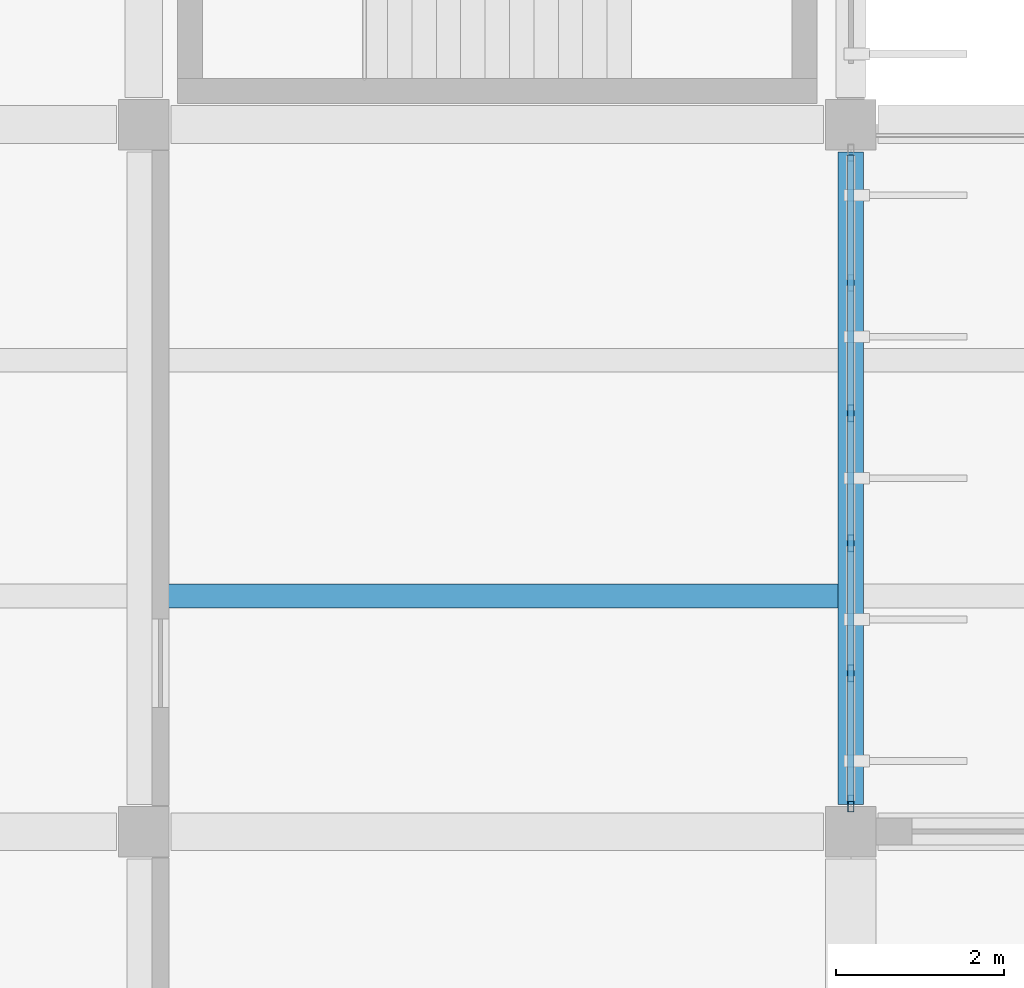
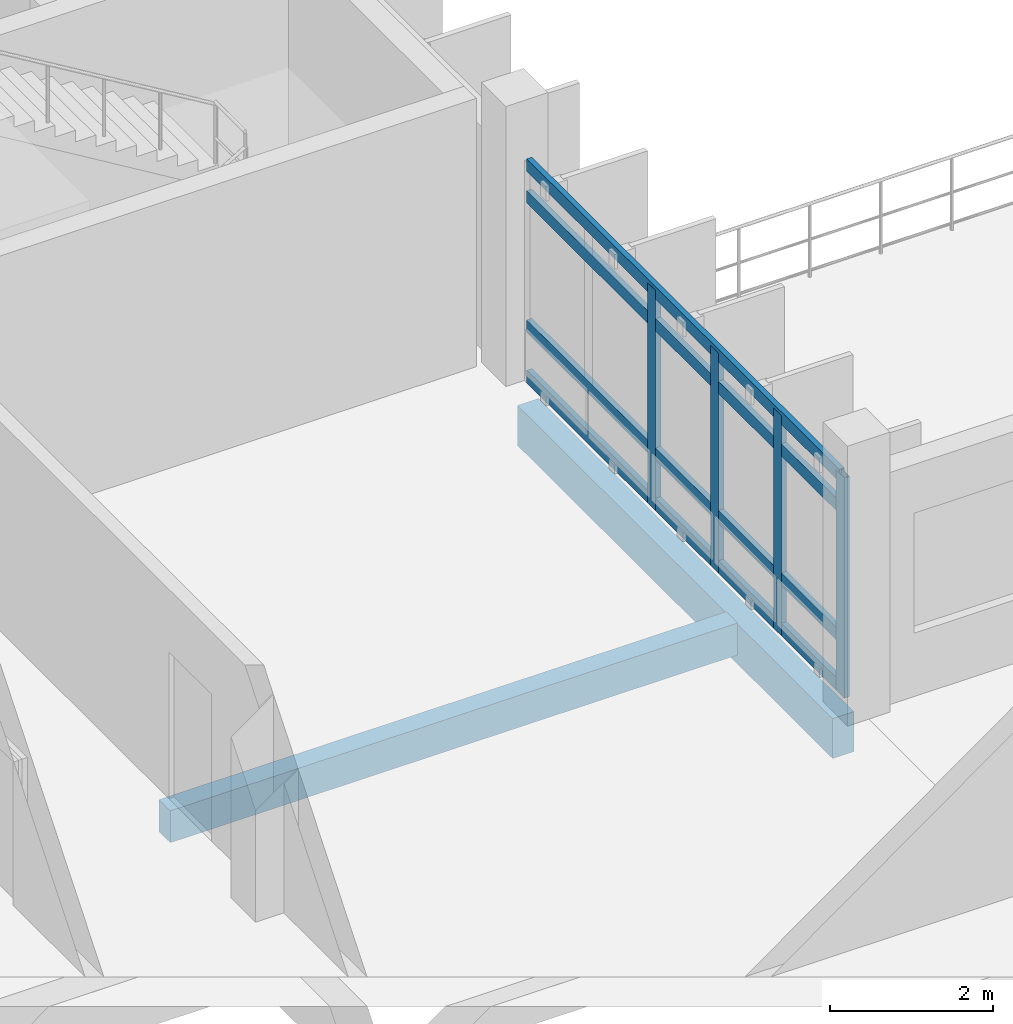
# One storey, part 33 of 130: 8 members, 2 beams, 1 element without a shape of its own.
"""IFC4 building model written with IfcOpenShell, lengths in metres."""

from ifc_helpers import new_model, si_unit, direction, frame, origin, origin_2d, place, context, subcontext, project, spatial, rectangle, hollow_rectangle, extrude, material, layer, layer_set, material_profile, profile_set, type_object, element, aggregate, save


model = new_model("IFC4")

# Units and contexts
model_context = context("Model", 3, precision=1e-05, world=origin(), true_north=direction((0.0, 1.0)))
body_context = subcontext(model_context, "Body", "Model", "MODEL_VIEW")
ifc_project = project(units=[si_unit("LENGTHUNIT", "METRE"), si_unit("AREAUNIT", "SQUARE_METRE"), si_unit("VOLUMEUNIT", "CUBIC_METRE"), si_unit("PLANEANGLEUNIT", "RADIAN"), si_unit("MASSUNIT", "GRAM", prefix="KILO")], contexts=[model_context])

# Site, building, storey
site_placement = place(None, origin())
site = spatial("IfcSite", under=ifc_project, at=site_placement, CompositionType="ELEMENT")
building_placement = place(site_placement, origin())
building = spatial("IfcBuilding", under=site, at=building_placement, Name="Vireocrest Preparatory School", CompositionType="ELEMENT")
storey_placement = place(building_placement, frame((0.0, 0.0, 9.0)))
storey = spatial("IfcBuildingStorey", under=building, at=storey_placement, Name="L02", CompositionType="ELEMENT", Elevation=9.0)

# Curtain wall, members
ifc_material_1 = material(Name="Thermally broken aluminium EN AW-6063-T6", Category="aluminium")
ifc_layer = layer(ifc_material_1, 0.179931640625)
ifc_layer_set = layer_set([ifc_layer], Name="Thermally broken aluminium EN AW-6063-T6")
curtain_wall_type = type_object("IfcCurtainWallType", Name="Teaching Fin Curtain Wall 8400x4200", PredefinedType="USERDEFINED", material=ifc_layer_set)
curtain_wall_placement = place(storey_placement, origin())
curtain_wall = element("IfcCurtainWall", 1, at=curtain_wall_placement, inside=storey, type_object=curtain_wall_type, Name="Curtain Wall CW03 CW_L02_CW03_1092_0357_090", ObjectType="CURTAIN WALL", PredefinedType="USERDEFINED")
ifc_material_profile_1 = material_profile(ifc_material_1, hollow_rectangle(XDim=0.074951171875, YDim=0.199951171875, WallThickness=0.0048828125, at=origin_2d()), Name="ALU 75x200x5")
ifc_profile_set_1 = profile_set([ifc_material_profile_1], Name="Thermally broken aluminium EN AW-6063-T6")
member_type_1 = type_object("IfcMemberType", Name="CW Mullion 75x200x5", PredefinedType="MULLION", material=ifc_profile_set_1)
member_1_placement = place(storey_placement, frame((109.199951171875, 35.735107421875, 0.0), z_axis=(0.0, 0.0, 1.0), x_axis=(1.0, 0.0, 0.0)))
member_1 = element("IfcMember", 2, at=member_1_placement, type_object=member_type_1, Name="CW Mullion ML3 CW_L02_CW03_1092_0357_090-1", PredefinedType="MULLION", context=body_context, shape_type="SweptSolid", body=[
    extrude(hollow_rectangle(XDim=0.074951171875, YDim=0.199951171875, WallThickness=0.0048828125, at=origin_2d()), origin(), (0.0, 0.0, 1.0), 3.304931640625),
])
member_2_placement = place(storey_placement, frame((109.199951171875, 37.281005859375, 0.0), z_axis=(0.0, 0.0, 1.0), x_axis=(1.0, 0.0, 0.0)))
member_2 = element("IfcMember", 3, at=member_2_placement, type_object=member_type_1, Name="CW Mullion ML3 CW_L02_CW03_1092_0357_090-2", PredefinedType="MULLION", context=body_context, shape_type="SweptSolid", body=[
    extrude(hollow_rectangle(XDim=0.074951171875, YDim=0.199951171875, WallThickness=0.0048828125, at=origin_2d()), origin(), (0.0, 0.0, 1.0), 3.304931640625),
])
member_3_placement = place(storey_placement, frame((109.199951171875, 38.826904296875, 0.0), z_axis=(0.0, 0.0, 1.0), x_axis=(1.0, 0.0, 0.0)))
member_3 = element("IfcMember", 4, at=member_3_placement, type_object=member_type_1, Name="CW Mullion ML3 CW_L02_CW03_1092_0357_090-3", PredefinedType="MULLION", context=body_context, shape_type="SweptSolid", body=[
    extrude(hollow_rectangle(XDim=0.074951171875, YDim=0.199951171875, WallThickness=0.0048828125, at=origin_2d()), origin(), (0.0, 0.0, 1.0), 3.304931640625),
])
member_4_placement = place(storey_placement, frame((109.199951171875, 40.373046875, 0.0), z_axis=(0.0, 0.0, 1.0), x_axis=(1.0, 0.0, 0.0)))
member_4 = element("IfcMember", 5, at=member_4_placement, type_object=member_type_1, Name="CW Mullion ML3 CW_L02_CW03_1092_0357_090-4", PredefinedType="MULLION", context=body_context, shape_type="SweptSolid", body=[
    extrude(hollow_rectangle(XDim=0.074951171875, YDim=0.199951171875, WallThickness=0.0048828125, at=origin_2d()), origin(), (0.0, 0.0, 1.0), 3.304931640625),
])
ifc_material_profile_2 = material_profile(ifc_material_1, hollow_rectangle(XDim=0.074951171875, YDim=0.18994140625, WallThickness=0.00390625, at=origin_2d()), Name="ALU 75x190x4")
ifc_profile_set_2 = profile_set([ifc_material_profile_2], Name="Thermally broken aluminium EN AW-6063-T6")
member_type_2 = type_object("IfcMemberType", Name="CW Transom 75x190x4", PredefinedType="USERDEFINED", material=ifc_profile_set_2)
member_5_placement = place(storey_placement, frame((109.199951171875, 35.760009765625, 0.094970703125), z_axis=(0.0, 1.0, 0.0), x_axis=(-1.0, 0.0, 0.0)))
member_5 = element("IfcMember", 6, at=member_5_placement, type_object=member_type_2, Name="CW Transom TR3 CW_L02_CW03_1092_0357_090-1", ObjectType="TRANSOM", PredefinedType="USERDEFINED", context=body_context, shape_type="SweptSolid", body=[
    extrude(hollow_rectangle(XDim=0.074951171875, YDim=0.18994140625, WallThickness=0.00390625, at=origin_2d()), origin(), (0.0, 0.0, 1.0), 7.679931640625),
])
member_6_placement = place(storey_placement, frame((109.199951171875, 35.760009765625, 0.85009765625), z_axis=(0.0, 1.0, 0.0), x_axis=(-1.0, 0.0, 0.0)))
member_6 = element("IfcMember", 7, at=member_6_placement, type_object=member_type_2, Name="CW Transom TR3 CW_L02_CW03_1092_0357_090-2", ObjectType="TRANSOM", PredefinedType="USERDEFINED", context=body_context, shape_type="SweptSolid", body=[
    extrude(hollow_rectangle(XDim=0.074951171875, YDim=0.18994140625, WallThickness=0.00390625, at=origin_2d()), origin(), (0.0, 0.0, 1.0), 7.679931640625),
])
member_7_placement = place(storey_placement, frame((109.199951171875, 35.760009765625, 2.7900390625), z_axis=(0.0, 1.0, 0.0), x_axis=(-1.0, 0.0, 0.0)))
member_7 = element("IfcMember", 8, at=member_7_placement, type_object=member_type_2, Name="CW Transom TR3 CW_L02_CW03_1092_0357_090-3", ObjectType="TRANSOM", PredefinedType="USERDEFINED", context=body_context, shape_type="SweptSolid", body=[
    extrude(hollow_rectangle(XDim=0.074951171875, YDim=0.18994140625, WallThickness=0.00390625, at=origin_2d()), origin(), (0.0, 0.0, 1.0), 7.679931640625),
])
member_8_placement = place(storey_placement, frame((109.199951171875, 35.760009765625, 3.264892578125), z_axis=(0.0, 1.0, 0.0), x_axis=(-1.0, 0.0, 0.0)))
member_8 = element("IfcMember", 9, at=member_8_placement, type_object=member_type_2, Name="CW Transom TR3 CW_L02_CW03_1092_0357_090-4", ObjectType="TRANSOM", PredefinedType="USERDEFINED", context=body_context, shape_type="SweptSolid", body=[
    extrude(hollow_rectangle(XDim=0.074951171875, YDim=0.18994140625, WallThickness=0.00390625, at=origin_2d()), origin(), (0.0, 0.0, 1.0), 7.679931640625),
])
aggregate(curtain_wall, [member_1, member_2, member_3, member_4, member_5, member_6, member_7, member_8])

# Beams
ifc_material_2 = material(Name="Concrete 40 MPa", Category="concrete")
ifc_material_profile_3 = material_profile(ifc_material_2, rectangle(XDim=0.300048828125, YDim=0.60009765625, at=origin_2d()), Name="RC 300x600")
ifc_profile_set_3 = profile_set([ifc_material_profile_3], Name="Concrete 40 MPa")
beam_type_1 = type_object("IfcBeamType", Name="RC Classroom Beam 300x600", PredefinedType="BEAM", material=ifc_profile_set_3)
beam_1_placement = place(storey_placement, frame((109.199951171875, 35.72509765625, -0.6201171875), z_axis=(0.0, 1.0, 0.0), x_axis=(-1.0, 0.0, 0.0)))
element("IfcBeam", 10, at=beam_1_placement, inside=storey, type_object=beam_type_1, Name="Primary Girder B03 L02-0860", PredefinedType="BEAM", context=body_context, shape_type="SweptSolid", body=[
    extrude(rectangle(XDim=0.300048828125, YDim=0.60009765625, at=origin_2d()), origin(), (0.0, 0.0, 1.0), 7.75),
])
ifc_material_profile_4 = material_profile(ifc_material_2, rectangle(XDim=0.280029296875, YDim=0.47998046875, at=origin_2d()), Name="RC 280x480")
ifc_profile_set_4 = profile_set([ifc_material_profile_4], Name="Concrete 40 MPa")
beam_type_2 = type_object("IfcBeamType", Name="RC Secondary Lab Joist 280x480", PredefinedType="JOIST", material=ifc_profile_set_4)
beam_2_placement = place(storey_placement, frame((101.0, 38.199951171875, -0.5400390625), z_axis=(1.0, 0.0, 0.0), x_axis=(0.0, 1.0, 0.0)))
element("IfcBeam", 11, at=beam_2_placement, inside=storey, type_object=beam_type_2, Name="Secondary Joist J02 L02-0992", PredefinedType="JOIST", context=body_context, shape_type="SweptSolid", body=[
    extrude(rectangle(XDim=0.280029296875, YDim=0.47998046875, at=origin_2d()), origin(), (0.0, 0.0, 1.0), 8.050048828125),
])

save(model, "model.ifc")
